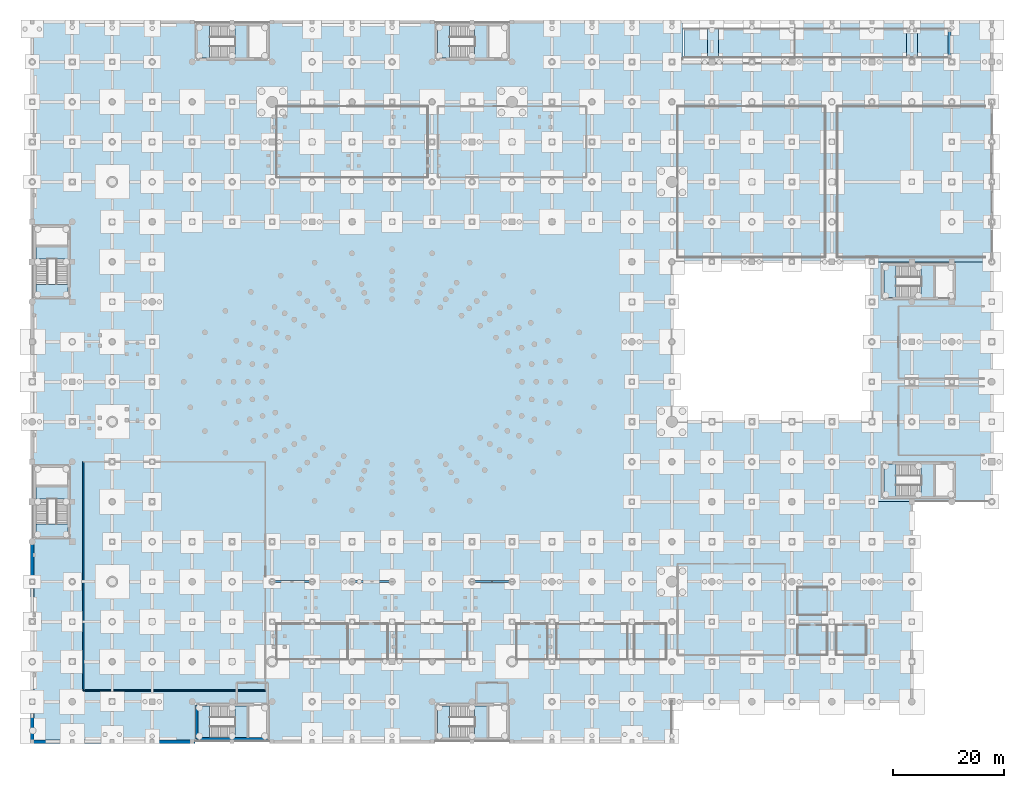
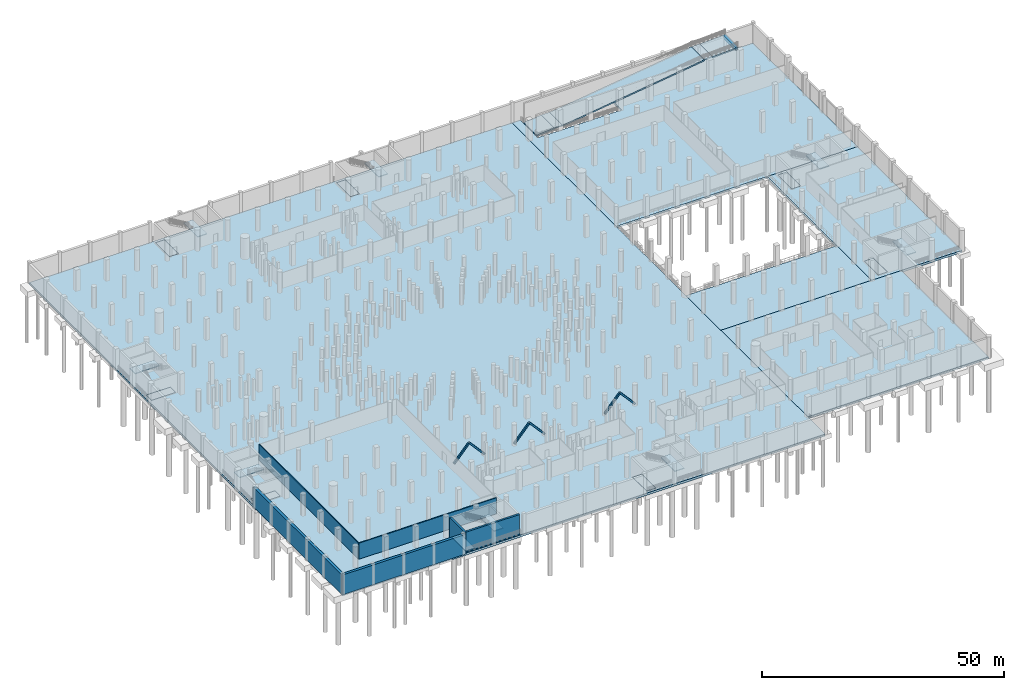
# One storey, part 21 of 37: 26 slabs, 6 members, 6 walls, 1 beam, 8 elements without a shape of their own.
"""IFC4 building model written with IfcOpenShell, lengths in metres."""

from ifc_helpers import new_model, si_unit, direction, frame, frame_2d, origin, origin_with_axes, origin_2d, place, context, subcontext, project, spatial, polyline, rectangle, hollow_rectangle, outline, extrude, material, layer, layer_set, material_profile, profile_set, type_object, element, aggregate, save


model = new_model("IFC4")

# Units and contexts
model_context = context("Model", 3, precision=1e-05, world=origin(), true_north=direction((0.0, 1.0)))
body_context = subcontext(model_context, "Body", "Model", "MODEL_VIEW")
ifc_project = project(units=[si_unit("LENGTHUNIT", "METRE"), si_unit("AREAUNIT", "SQUARE_METRE"), si_unit("VOLUMEUNIT", "CUBIC_METRE"), si_unit("PLANEANGLEUNIT", "RADIAN"), si_unit("MASSUNIT", "GRAM", prefix="KILO")], contexts=[model_context])

# Site, building, storey
site_placement = place(None, origin())
site = spatial("IfcSite", under=ifc_project, at=site_placement, CompositionType="ELEMENT")
building_placement = place(site_placement, origin())
building = spatial("IfcBuilding", under=site, at=building_placement, Name="Qandorah Velis Arena", CompositionType="ELEMENT")
storey_placement = place(building_placement, frame((0.0, 0.0, -5.39990234375)))
storey = spatial("IfcBuildingStorey", under=building, at=storey_placement, Name="B1", CompositionType="ELEMENT", Elevation=-5.39990234375)

# Members
ifc_material_1 = material(Name="Steel S355", Category="steel")
ifc_material_profile_1 = material_profile(ifc_material_1, hollow_rectangle(XDim=0.35009765625, YDim=0.35009765625, WallThickness=0.01611328125, at=origin_2d()), Name="SHS 350x350x16")
ifc_profile_set_1 = profile_set([ifc_material_profile_1], Name="Steel S355")
member_type = type_object("IfcMemberType", Name="STR-BRC-SHS350", PredefinedType="BRACE", material=ifc_profile_set_1)
member_1_placement = place(storey_placement, frame((43.199951171875, 28.800048828125, 0.27978515625), z_axis=(0.663452954865, 0.0, 0.748218000773), x_axis=(0.0, 1.0, 0.0)))
element("IfcMember", 1, at=member_1_placement, inside=storey, type_object=member_type, Name="Lateral chevron brace B1-S1A", PredefinedType="BRACE", context=body_context, shape_type="SweptSolid", body=[
    extrude(hollow_rectangle(XDim=0.35009765625, YDim=0.35009765625, WallThickness=0.01611328125, at=origin_2d()), origin(), (0.0, 0.0, 1.0), 5.42626953125),
])
member_2_placement = place(storey_placement, frame((50.39990234375, 28.800048828125, 0.27978515625), z_axis=(-0.663427765823, 0.0, 0.748240335411), x_axis=(0.0, -1.0, 0.0)))
element("IfcMember", 2, at=member_2_placement, inside=storey, type_object=member_type, Name="Lateral chevron brace B1-S1B", PredefinedType="BRACE", context=body_context, shape_type="SweptSolid", body=[
    extrude(hollow_rectangle(XDim=0.35009765625, YDim=0.35009765625, WallThickness=0.01611328125, at=origin_2d()), origin(), (0.0, 0.0, 1.0), 5.426025390625),
])
member_3_placement = place(storey_placement, frame((79.199951171875, 28.800048828125, 0.27978515625), z_axis=(0.663452954865, 0.0, 0.748218000773), x_axis=(0.0, 1.0, 0.0)))
element("IfcMember", 3, at=member_3_placement, inside=storey, type_object=member_type, Name="Lateral chevron brace B1-S2A", PredefinedType="BRACE", context=body_context, shape_type="SweptSolid", body=[
    extrude(hollow_rectangle(XDim=0.35009765625, YDim=0.35009765625, WallThickness=0.01611328125, at=origin_2d()), origin(), (0.0, 0.0, 1.0), 5.42626953125),
])
for number, where, z_axis, x_axis, name in (
    (4, (86.39990234375, 28.800048828125, 0.27978515625), (-0.663427765823, 0.0, 0.748240335411), (0.0, -1.0, 0.0), "Lateral chevron brace B1-S2B"),
    (5, (57.60009765625, 28.800048828125, 0.27978515625), (0.663427765823, 0.0, 0.748240335411), (0.0, 1.0, 0.0), "Lateral chevron brace B1-S1BA"),
):
    element("IfcMember", number, at=place(storey_placement, frame(where, z_axis=z_axis, x_axis=x_axis)), inside=storey, type_object=member_type, Name=name, PredefinedType="BRACE", context=body_context, shape_type="SweptSolid", body=[
        extrude(hollow_rectangle(XDim=0.35009765625, YDim=0.35009765625, WallThickness=0.01611328125, at=origin_2d()), origin(), (0.0, 0.0, 1.0), 5.426025390625),
    ])
member_4_placement = place(storey_placement, frame((64.800048828125, 28.800048828125, 0.27978515625), z_axis=(-0.663452954865, 0.0, 0.748218000773), x_axis=(0.0, -1.0, 0.0)))
element("IfcMember", 6, at=member_4_placement, inside=storey, type_object=member_type, Name="Lateral chevron brace B1-S1BB", PredefinedType="BRACE", context=body_context, shape_type="SweptSolid", body=[
    extrude(hollow_rectangle(XDim=0.35009765625, YDim=0.35009765625, WallThickness=0.01611328125, at=origin_2d()), origin(), (0.0, 0.0, 1.0), 5.42626953125),
])

# Beam
ifc_material_2 = material(Name="Concrete C40/50", Category="concrete")
ifc_material_profile_2 = material_profile(ifc_material_2, rectangle(XDim=0.5, YDim=0.800048828125, at=origin_2d()), Name="RC BM 500x800")
ifc_profile_set_2 = profile_set([ifc_material_profile_2], Name="Concrete C40/50")
beam_type = type_object("IfcBeamType", Name="STR-RCBM-500X800", PredefinedType="BEAM", material=ifc_profile_set_2)
beam_placement = place(storey_placement, frame((165.199951171875, 123.300048828125, 4.97998046875), z_axis=(0.0, 1.0, 0.0), x_axis=(-1.0, 0.0, 0.0)))
element("IfcBeam", 7, at=beam_placement, inside=storey, type_object=beam_type, Name="Vehicle ramp top threshold support beam", PredefinedType="BEAM", context=body_context, shape_type="SweptSolid", body=[
    extrude(rectangle(XDim=0.5, YDim=0.800048828125, at=origin_2d()), origin(), (0.0, 0.0, 1.0), 5.0),
])

# Slabs
ifc_layer_1 = layer(ifc_material_2, 0.550048828125)
ifc_layer_set_1 = layer_set([ifc_layer_1], Name="Concrete C40/50")
slab_type_1 = type_object("IfcSlabType", Name="STR-SLB-BASE550", PredefinedType="BASESLAB", material=ifc_layer_set_1)
slab_1_placement = place(storey_placement, frame((0.0, 0.0, -0.550048828125)))
element("IfcSlab", 8, at=slab_1_placement, inside=storey, type_object=slab_type_1, Name="Structural floor slab B1_BOWL_WEST", PredefinedType="BASESLAB", context=body_context, shape_type="SweptSolid", body=[
    extrude(outline(polyline([(0.0, 129.60009765625), (115.199951171875, 129.60009765625), (115.199951171875, 0.0), (0.0, 0.0), (0.0, 129.60009765625)]), holes=[polyline([(29.7451171875, 6.455078125), (29.7451171875, 0.64501953125), (31.955078125, 0.64501953125), (31.955078125, 6.455078125), (29.7451171875, 6.455078125)]), polyline([(75.155029296875, 6.455078125), (72.945068359375, 6.455078125), (72.945068359375, 0.64501953125), (75.155029296875, 0.64501953125), (75.155029296875, 6.455078125)]), polyline([(31.955078125, 123.14501953125), (31.955078125, 128.955078125), (29.7451171875, 128.955078125), (29.7451171875, 123.14501953125), (31.955078125, 123.14501953125)]), polyline([(72.945068359375, 123.14501953125), (75.155029296875, 123.14501953125), (75.155029296875, 128.955078125), (72.945068359375, 128.955078125), (72.945068359375, 123.14501953125)]), polyline([(0.64501953125, 39.155029296875), (0.64501953125, 36.945068359375), (6.455078125, 36.945068359375), (6.455078125, 39.155029296875), (0.64501953125, 39.155029296875)]), polyline([(6.455078125, 82.35498046875), (0.64501953125, 82.35498046875), (0.64501953125, 80.14501953125), (6.455078125, 80.14501953125), (6.455078125, 82.35498046875)])]), origin(), (0.0, 0.0, 1.0), 0.550048828125),
])
slab_2_placement = place(storey_placement, frame((0.0, 0.0, -0.550048828125)))
element("IfcSlab", 9, at=slab_2_placement, inside=storey, type_object=slab_type_1, Name="Structural floor slab B1_FOYER_PLINTH", PredefinedType="BASESLAB", context=body_context, shape_type="SweptSolid", body=[
    extrude(outline(polyline([(158.39990234375, 7.199951171875), (158.39990234375, 43.199951171875), (115.199951171875, 43.199951171875), (115.199951171875, 7.199951171875), (158.39990234375, 7.199951171875)])), origin(), (0.0, 0.0, 1.0), 0.550048828125),
])
slab_3_placement = place(storey_placement, frame((0.0, 0.0, -0.550048828125)))
element("IfcSlab", 10, at=slab_3_placement, inside=storey, type_object=slab_type_1, Name="Structural floor slab B1_FOYER_NORTH", PredefinedType="BASESLAB", context=body_context, shape_type="SweptSolid", body=[
    extrude(outline(polyline([(151.199951171875, 43.199951171875), (151.199951171875, 57.60009765625), (115.199951171875, 57.60009765625), (115.199951171875, 43.199951171875), (151.199951171875, 43.199951171875)])), origin(), (0.0, 0.0, 1.0), 0.550048828125),
])
slab_4_placement = place(storey_placement, frame((0.0, 0.0, -0.550048828125)))
element("IfcSlab", 11, at=slab_4_placement, inside=storey, type_object=slab_type_1, Name="Structural floor slab B1_OASIS_EAST", PredefinedType="BASESLAB", context=body_context, shape_type="SweptSolid", body=[
    extrude(outline(polyline([(151.199951171875, 86.39990234375), (172.800048828125, 86.39990234375), (172.800048828125, 43.199951171875), (151.199951171875, 43.199951171875), (151.199951171875, 86.39990234375)]), holes=[polyline([(153.344970703125, 49.955078125), (153.344970703125, 44.14501953125), (155.554931640625, 44.14501953125), (155.554931640625, 49.955078125), (153.344970703125, 49.955078125)]), polyline([(155.554931640625, 85.7548828125), (153.344970703125, 85.7548828125), (153.344970703125, 79.945068359375), (155.554931640625, 79.945068359375), (155.554931640625, 85.7548828125)])]), origin(), (0.0, 0.0, 1.0), 0.550048828125),
])
ifc_layer_2 = layer(ifc_material_2, 0.47998046875)
ifc_layer_set_2 = layer_set([ifc_layer_2], Name="Concrete C40/50")
slab_type_2 = type_object("IfcSlabType", Name="STR-SLB-DOCK480", PredefinedType="BASESLAB", material=ifc_layer_set_2)
slab_5_placement = place(storey_placement, frame((0.0, 0.0, -0.47998046875)))
element("IfcSlab", 12, at=slab_5_placement, inside=storey, type_object=slab_type_2, Name="Structural floor slab B1_DOCK_EAST", PredefinedType="BASESLAB", context=body_context, shape_type="SweptSolid", body=[
    extrude(outline(polyline([(172.800048828125, 129.60009765625), (172.800048828125, 86.39990234375), (115.199951171875, 86.39990234375), (115.199951171875, 129.60009765625), (117.199951171875, 129.60009765625), (117.199951171875, 122.199951171875), (137.199951171875, 122.199951171875), (137.199951171875, 129.60009765625), (172.800048828125, 129.60009765625)])), origin(), (0.0, 0.0, 1.0), 0.47998046875),
])
ifc_layer_3 = layer(ifc_material_2, 0.219970703125)
ifc_layer_set_3 = layer_set([ifc_layer_3], Name="Concrete C40/50")
slab_type_3 = type_object("IfcSlabType", Name="STR-SLB-LND220", PredefinedType="LANDING", material=ifc_layer_set_3)
slab_6_placement = place(storey_placement, frame((0.0, 0.0, -0.22021484375)))
element("IfcSlab", 13, at=slab_6_placement, inside=storey, type_object=slab_type_3, Name="Stair ST1 storey landing slab B1", PredefinedType="LANDING", context=body_context, shape_type="SweptSolid", body=[
    extrude(outline(polyline([(29.75, 0.64990234375), (31.949951171875, 0.64990234375), (31.949951171875, 6.449951171875), (29.75, 6.449951171875), (29.75, 0.64990234375)])), origin(), (0.0, 0.0, 1.0), 0.22021484375),
])

# Stair, slab
stair_type = type_object("IfcStairType", Name="ARC-ST-CORE54", PredefinedType="HALF_TURN_STAIR", material=ifc_material_2)
stair_1_placement = place(storey_placement, origin())
stair_1 = element("IfcStair", 14, at=stair_1_placement, inside=storey, type_object=stair_type, Name="Protected exit stair ST1 (B1)", PredefinedType="HALF_TURN_STAIR")
slab_7_placement = place(storey_placement, frame((0.0, 0.0, 2.47998046875)))
slab_7 = element("IfcSlab", 15, at=slab_7_placement, type_object=slab_type_3, Name="ST1 landing 1", PredefinedType="LANDING", context=body_context, shape_type="SweptSolid", body=[
    extrude(outline(polyline([(36.486083984375, 0.64990234375), (38.736083984375, 0.64990234375), (38.736083984375, 6.449951171875), (36.486083984375, 6.449951171875), (36.486083984375, 0.64990234375)])), origin(), (0.0, 0.0, 1.0), 0.219970703125),
])
aggregate(stair_1, [slab_7])

# Slab
slab_8_placement = place(storey_placement, frame((0.0, 0.0, -0.22021484375)))
element("IfcSlab", 16, at=slab_8_placement, inside=storey, type_object=slab_type_3, Name="Stair ST2 storey landing slab B1", PredefinedType="LANDING", context=body_context, shape_type="SweptSolid", body=[
    extrude(outline(polyline([(72.949951171875, 0.64990234375), (75.14990234375, 0.64990234375), (75.14990234375, 6.449951171875), (72.949951171875, 6.449951171875), (72.949951171875, 0.64990234375)])), origin(), (0.0, 0.0, 1.0), 0.22021484375),
])

# Stair, slab
stair_2_placement = place(storey_placement, origin())
stair_2 = element("IfcStair", 17, at=stair_2_placement, inside=storey, type_object=stair_type, Name="Protected exit stair ST2 (B1)", PredefinedType="HALF_TURN_STAIR")
slab_9_placement = place(storey_placement, frame((0.0, 0.0, 2.47998046875)))
slab_9 = element("IfcSlab", 18, at=slab_9_placement, type_object=slab_type_3, Name="ST2 landing 1", PredefinedType="LANDING", context=body_context, shape_type="SweptSolid", body=[
    extrude(outline(polyline([(79.68603515625, 0.64990234375), (81.93603515625, 0.64990234375), (81.93603515625, 6.449951171875), (79.68603515625, 6.449951171875), (79.68603515625, 0.64990234375)])), origin(), (0.0, 0.0, 1.0), 0.219970703125),
])
aggregate(stair_2, [slab_9])

# Slab
slab_10_placement = place(storey_placement, frame((0.0, 0.0, -0.22021484375)))
element("IfcSlab", 19, at=slab_10_placement, inside=storey, type_object=slab_type_3, Name="Stair ST3 storey landing slab B1", PredefinedType="LANDING", context=body_context, shape_type="SweptSolid", body=[
    extrude(outline(polyline([(29.75, 123.14990234375), (31.949951171875, 123.14990234375), (31.949951171875, 128.949951171875), (29.75, 128.949951171875), (29.75, 123.14990234375)])), origin(), (0.0, 0.0, 1.0), 0.22021484375),
])

# Stair, slab
stair_3_placement = place(storey_placement, origin())
stair_3 = element("IfcStair", 20, at=stair_3_placement, inside=storey, type_object=stair_type, Name="Protected exit stair ST3 (B1)", PredefinedType="HALF_TURN_STAIR")
slab_11_placement = place(storey_placement, frame((0.0, 0.0, 2.47998046875)))
slab_11 = element("IfcSlab", 21, at=slab_11_placement, type_object=slab_type_3, Name="ST3 landing 1", PredefinedType="LANDING", context=body_context, shape_type="SweptSolid", body=[
    extrude(outline(polyline([(36.486083984375, 123.14990234375), (38.736083984375, 123.14990234375), (38.736083984375, 128.949951171875), (36.486083984375, 128.949951171875), (36.486083984375, 123.14990234375)])), origin(), (0.0, 0.0, 1.0), 0.219970703125),
])
aggregate(stair_3, [slab_11])

# Slab
slab_12_placement = place(storey_placement, frame((0.0, 0.0, -0.22021484375)))
element("IfcSlab", 22, at=slab_12_placement, inside=storey, type_object=slab_type_3, Name="Stair ST4 storey landing slab B1", PredefinedType="LANDING", context=body_context, shape_type="SweptSolid", body=[
    extrude(outline(polyline([(72.949951171875, 123.14990234375), (75.14990234375, 123.14990234375), (75.14990234375, 128.949951171875), (72.949951171875, 128.949951171875), (72.949951171875, 123.14990234375)])), origin(), (0.0, 0.0, 1.0), 0.22021484375),
])

# Stair, slab
stair_4_placement = place(storey_placement, origin())
stair_4 = element("IfcStair", 23, at=stair_4_placement, inside=storey, type_object=stair_type, Name="Protected exit stair ST4 (B1)", PredefinedType="HALF_TURN_STAIR")
slab_13_placement = place(storey_placement, frame((0.0, 0.0, 2.47998046875)))
slab_13 = element("IfcSlab", 24, at=slab_13_placement, type_object=slab_type_3, Name="ST4 landing 1", PredefinedType="LANDING", context=body_context, shape_type="SweptSolid", body=[
    extrude(outline(polyline([(79.68603515625, 123.14990234375), (81.93603515625, 123.14990234375), (81.93603515625, 128.949951171875), (79.68603515625, 128.949951171875), (79.68603515625, 123.14990234375)])), origin(), (0.0, 0.0, 1.0), 0.219970703125),
])
aggregate(stair_4, [slab_13])

# Slab
slab_14_placement = place(storey_placement, frame((0.0, 0.0, -0.22021484375)))
element("IfcSlab", 25, at=slab_14_placement, inside=storey, type_object=slab_type_3, Name="Stair ST5 storey landing slab B1", PredefinedType="LANDING", context=body_context, shape_type="SweptSolid", body=[
    extrude(outline(polyline([(0.64990234375, 36.949951171875), (6.449951171875, 36.949951171875), (6.449951171875, 39.14990234375), (0.64990234375, 39.14990234375), (0.64990234375, 36.949951171875)])), origin(), (0.0, 0.0, 1.0), 0.22021484375),
])

# Stair, slab
stair_5_placement = place(storey_placement, origin())
stair_5 = element("IfcStair", 26, at=stair_5_placement, inside=storey, type_object=stair_type, Name="Protected exit stair ST5 (B1)", PredefinedType="HALF_TURN_STAIR")
slab_15_placement = place(storey_placement, frame((0.0, 0.0, 2.47998046875)))
slab_15 = element("IfcSlab", 27, at=slab_15_placement, type_object=slab_type_3, Name="ST5 landing 1", PredefinedType="LANDING", context=body_context, shape_type="SweptSolid", body=[
    extrude(outline(polyline([(0.64990234375, 43.68603515625), (6.449951171875, 43.68603515625), (6.449951171875, 45.93603515625), (0.64990234375, 45.93603515625), (0.64990234375, 43.68603515625)])), origin(), (0.0, 0.0, 1.0), 0.219970703125),
])
aggregate(stair_5, [slab_15])

# Slab
slab_16_placement = place(storey_placement, frame((0.0, 0.0, -0.22021484375)))
element("IfcSlab", 28, at=slab_16_placement, inside=storey, type_object=slab_type_3, Name="Stair ST6 storey landing slab B1", PredefinedType="LANDING", context=body_context, shape_type="SweptSolid", body=[
    extrude(outline(polyline([(0.64990234375, 80.14990234375), (6.449951171875, 80.14990234375), (6.449951171875, 82.35009765625), (0.64990234375, 82.35009765625), (0.64990234375, 80.14990234375)])), origin(), (0.0, 0.0, 1.0), 0.22021484375),
])

# Stair, slab
stair_6_placement = place(storey_placement, origin())
stair_6 = element("IfcStair", 29, at=stair_6_placement, inside=storey, type_object=stair_type, Name="Protected exit stair ST6 (B1)", PredefinedType="HALF_TURN_STAIR")
slab_17_placement = place(storey_placement, frame((0.0, 0.0, 2.47998046875)))
slab_17 = element("IfcSlab", 30, at=slab_17_placement, type_object=slab_type_3, Name="ST6 landing 1", PredefinedType="LANDING", context=body_context, shape_type="SweptSolid", body=[
    extrude(outline(polyline([(0.64990234375, 86.885986328125), (6.449951171875, 86.885986328125), (6.449951171875, 89.135986328125), (0.64990234375, 89.135986328125), (0.64990234375, 86.885986328125)])), origin(), (0.0, 0.0, 1.0), 0.219970703125),
])
aggregate(stair_6, [slab_17])

# Slab
slab_18_placement = place(storey_placement, frame((0.0, 0.0, -0.22021484375)))
element("IfcSlab", 31, at=slab_18_placement, inside=storey, type_object=slab_type_3, Name="Stair ST7 storey landing slab B1", PredefinedType="LANDING", context=body_context, shape_type="SweptSolid", body=[
    extrude(outline(polyline([(153.35009765625, 44.14990234375), (155.550048828125, 44.14990234375), (155.550048828125, 49.949951171875), (153.35009765625, 49.949951171875), (153.35009765625, 44.14990234375)])), origin(), (0.0, 0.0, 1.0), 0.22021484375),
])

# Stair, slab
stair_7_placement = place(storey_placement, origin())
stair_7 = element("IfcStair", 32, at=stair_7_placement, inside=storey, type_object=stair_type, Name="Protected exit stair ST7 (B1)", PredefinedType="HALF_TURN_STAIR")
slab_19_placement = place(storey_placement, frame((0.0, 0.0, 2.47998046875)))
slab_19 = element("IfcSlab", 33, at=slab_19_placement, type_object=slab_type_3, Name="ST7 landing 1", PredefinedType="LANDING", context=body_context, shape_type="SweptSolid", body=[
    extrude(outline(polyline([(160.0859375, 44.14990234375), (162.3359375, 44.14990234375), (162.3359375, 49.949951171875), (160.0859375, 49.949951171875), (160.0859375, 44.14990234375)])), origin(), (0.0, 0.0, 1.0), 0.219970703125),
])
aggregate(stair_7, [slab_19])

# Slab
slab_20_placement = place(storey_placement, frame((0.0, 0.0, -0.22021484375)))
element("IfcSlab", 34, at=slab_20_placement, inside=storey, type_object=slab_type_3, Name="Stair ST8 storey landing slab B1", PredefinedType="LANDING", context=body_context, shape_type="SweptSolid", body=[
    extrude(outline(polyline([(153.35009765625, 79.949951171875), (155.550048828125, 79.949951171875), (155.550048828125, 85.75), (153.35009765625, 85.75), (153.35009765625, 79.949951171875)])), origin(), (0.0, 0.0, 1.0), 0.22021484375),
])

# Stair, slab
stair_8_placement = place(storey_placement, origin())
stair_8 = element("IfcStair", 35, at=stair_8_placement, inside=storey, type_object=stair_type, Name="Protected exit stair ST8 (B1)", PredefinedType="HALF_TURN_STAIR")
slab_21_placement = place(storey_placement, frame((0.0, 0.0, 2.47998046875)))
slab_21 = element("IfcSlab", 36, at=slab_21_placement, type_object=slab_type_3, Name="ST8 landing 1", PredefinedType="LANDING", context=body_context, shape_type="SweptSolid", body=[
    extrude(outline(polyline([(160.0859375, 79.949951171875), (162.3359375, 79.949951171875), (162.3359375, 85.75), (160.0859375, 85.75), (160.0859375, 79.949951171875)])), origin(), (0.0, 0.0, 1.0), 0.219970703125),
])
aggregate(stair_8, [slab_21])

# Slabs
slab_22_placement = place(storey_placement, frame((0.0, 0.0, 0.1298828125)))
element("IfcSlab", 37, at=slab_22_placement, inside=storey, type_object=slab_type_3, Name="Vehicle ramp VR1 structural concrete transition landing 1", PredefinedType="LANDING", context=body_context, shape_type="SweptSolid", body=[
    extrude(outline(polyline([(121.60009765625, 123.10009765625), (123.60009765625, 123.10009765625), (123.60009765625, 128.5), (121.60009765625, 128.5), (121.60009765625, 123.10009765625)])), origin(), (0.0, 0.0, 1.0), 0.219970703125),
])
slab_23_placement = place(storey_placement, frame((0.0, 0.0, 4.829833984375)))
element("IfcSlab", 38, at=slab_23_placement, inside=storey, type_object=slab_type_3, Name="Vehicle ramp VR1 structural concrete transition landing 2", PredefinedType="LANDING", context=body_context, shape_type="SweptSolid", body=[
    extrude(outline(polyline([(157.39990234375, 123.10009765625), (159.39990234375, 123.10009765625), (159.39990234375, 128.5), (157.39990234375, 128.5), (157.39990234375, 123.10009765625)])), origin(), (0.0, 0.0, 1.0), 0.219970703125),
])
ifc_layer_4 = layer(ifc_material_2, 0.35009765625)
ifc_layer_set_4 = layer_set([ifc_layer_4], Name="Concrete C40/50")
slab_type_4 = type_object("IfcSlabType", Name="STR-SLB-RMP350", PredefinedType="FLOOR", material=ifc_layer_set_4)
slab_24_placement = place(storey_placement, frame((117.39990234375, 123.10009765625, 0.0), z_axis=(-0.083007129168, 0.0, 0.996548953392), x_axis=(0.996548953392, 0.0, 0.083007129168)))
element("IfcSlab", 39, at=slab_24_placement, inside=storey, type_object=slab_type_4, Name="Vehicle ramp VR1 structural concrete slab segment 1", PredefinedType="FLOOR", context=body_context, shape_type="SweptSolid", body=[
    extrude(outline(polyline([(0.0, 0.0), (4.21474057867648, 0.0), (4.21474057867648, 5.39990234375), (0.0, 5.39990234375), (0.0, 0.0)])), origin(), (0.0, 0.0, -1.0), 0.35009765625),
])
slab_25_placement = place(storey_placement, frame((123.60009765625, 123.10009765625, 0.349853515625), z_axis=(-0.137727464709, 0.0, 0.990470163844), x_axis=(0.990470163844, 0.0, 0.137727464709)))
element("IfcSlab", 40, at=slab_25_placement, inside=storey, type_object=slab_type_4, Name="Vehicle ramp VR1 structural concrete slab segment 2", PredefinedType="FLOOR", context=body_context, shape_type="SweptSolid", body=[
    extrude(outline(polyline([(0.0, 0.0), (34.12501044587614, 0.0), (34.12501044587614, 5.39990234375), (0.0, 5.39990234375), (0.0, 0.0)])), origin(), (0.0, 0.0, -1.0), 0.35009765625),
])
slab_26_placement = place(storey_placement, frame((159.39990234375, 123.10009765625, 5.0498046875), z_axis=(-0.056375783443, 0.0, 0.998409620868), x_axis=(0.998409620868, 0.0, 0.056375783443)))
element("IfcSlab", 41, at=slab_26_placement, inside=storey, type_object=slab_type_4, Name="Vehicle ramp VR1 structural concrete slab segment 3", PredefinedType="FLOOR", context=body_context, shape_type="SweptSolid", body=[
    extrude(outline(polyline([(0.0, 0.0), (6.210071680911478, 0.0), (6.210071680911478, 5.399902343750001), (0.0, 5.399902343750001), (0.0, 0.0)])), origin(), (0.0, 0.0, -1.0), 0.35009765625),
])

# Walls
ifc_material_3 = material(Name="Concrete C35/45", Category="concrete")
ifc_layer_5 = layer(ifc_material_3, 0.199951171875)
ifc_layer_set_5 = layer_set([ifc_layer_5], Name="Concrete C35/45")
wall_type_1 = type_object("IfcWallType", Name="ARC-WAL-FD60-200", PredefinedType="PARTITIONING", material=ifc_layer_set_5)
wall_1_placement = place(storey_placement, frame((9.199951171875, 9.199951171875, 0.0), z_axis=(0.0, 0.0, 1.0), x_axis=(1.0, 0.0, 0.0)))
element("IfcWall", 42, at=wall_1_placement, inside=storey, type_object=wall_type_1, Name="Interior partition B1-CP-HALL (S)", PredefinedType="PARTITIONING", context=body_context, shape_type="SweptSolid", body=[
    extrude(rectangle(XDim=32.800048828125, YDim=0.199951171875, at=frame_2d((16.39990234375, 0.0))), origin(), (0.0, 0.0, 1.0), 4.039794921875),
])
wall_2_placement = place(storey_placement, frame((9.199951171875, 50.39990234375, 0.0), z_axis=(0.0, 0.0, 1.0), x_axis=(0.0, -1.0, 0.0)))
element("IfcWall", 43, at=wall_2_placement, inside=storey, type_object=wall_type_1, Name="Interior partition B1-CP-HALL (W)", PredefinedType="PARTITIONING", context=body_context, shape_type="SweptSolid", body=[
    extrude(rectangle(XDim=41.199951171875, YDim=0.199951171875, at=frame_2d((20.60009765625, 0.0))), origin(), (0.0, 0.0, 1.0), 4.039794921875),
])
ifc_layer_6 = layer(ifc_material_2, 0.449951171875)
ifc_layer_set_6 = layer_set([ifc_layer_6], Name="Concrete C40/50")
wall_type_2 = type_object("IfcWallType", Name="STR-WAL-CORE450", PredefinedType="SHEAR", material=ifc_layer_set_6)
wall_3_placement = place(storey_placement, frame((29.60009765625, 0.5, 0.0), z_axis=(0.0, 0.0, 1.0), x_axis=(1.0, 0.0, 0.0)))
element("IfcWall", 44, at=wall_3_placement, inside=storey, type_object=wall_type_2, Name="Core CORE-01 shear wall S (B1)", PredefinedType="SHEAR", context=body_context, shape_type="SweptSolid", body=[
    extrude(rectangle(XDim=12.7998046875, YDim=0.449951171875, at=frame_2d((6.39990234375, 0.0))), origin(), (0.0, 0.0, 1.0), 5.02001953125),
])
wall_4_placement = place(storey_placement, frame((29.60009765625, 0.5, 0.0), z_axis=(0.0, 0.0, 1.0), x_axis=(0.0, 1.0, 0.0)))
element("IfcWall", 45, at=wall_4_placement, inside=storey, type_object=wall_type_2, Name="Core CORE-01 shear wall W (B1)", PredefinedType="SHEAR", context=body_context, shape_type="SweptSolid", body=[
    extrude(rectangle(XDim=6.10009765625, YDim=0.449951171875, at=frame_2d((3.050048828125, 0.0))), origin(), (0.0, 0.0, 1.0), 5.02001953125),
])
ifc_layer_7 = layer(ifc_material_2, 0.60009765625)
ifc_layer_set_7 = layer_set([ifc_layer_7], Name="Concrete C40/50")
wall_type_3 = type_object("IfcWallType", Name="STR-WAL-RET600", PredefinedType="USERDEFINED", material=ifc_layer_set_7)
wall_5_placement = place(storey_placement, frame((0.0, 0.0, 0.0), z_axis=(0.0, 0.0, 1.0), x_axis=(0.0, 1.0, 0.0)))
element("IfcWall", 46, at=wall_5_placement, inside=storey, type_object=wall_type_3, Name="Basement retaining wall RET-W1", ObjectType="RETAINING WALL", PredefinedType="USERDEFINED", context=body_context, shape_type="SweptSolid", body=[
    extrude(rectangle(XDim=36.5, YDim=0.60009765625, at=frame_2d((18.25, 0.0))), origin(), (0.0, 0.0, 1.0), 4.97998046875),
])
wall_6_placement = place(storey_placement, origin_with_axes())
element("IfcWall", 47, at=wall_6_placement, inside=storey, type_object=wall_type_3, Name="Basement retaining wall RET-S1", ObjectType="RETAINING WALL", PredefinedType="USERDEFINED", context=body_context, shape_type="SweptSolid", body=[
    extrude(rectangle(XDim=29.300048828125, YDim=0.60009765625, at=frame_2d((14.64990234375, 0.0))), origin(), (0.0, 0.0, 1.0), 4.97998046875),
])

save(model, "model.ifc")
